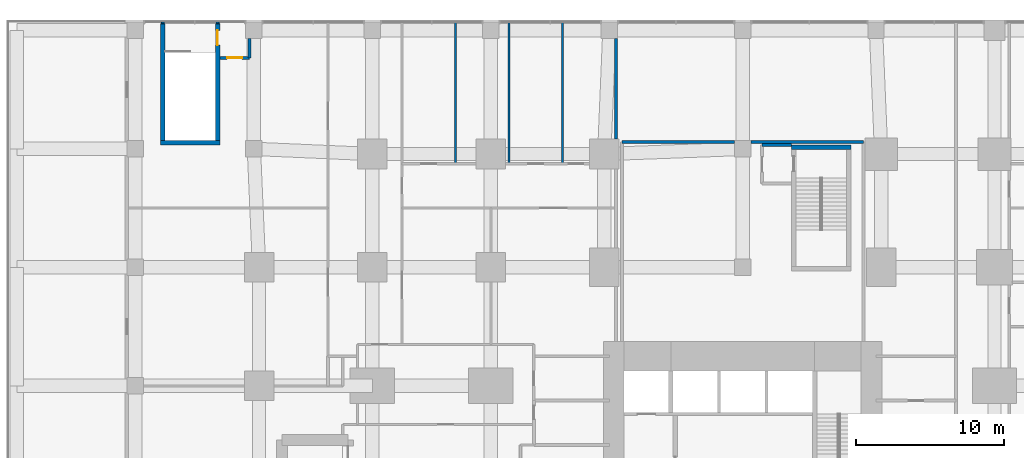
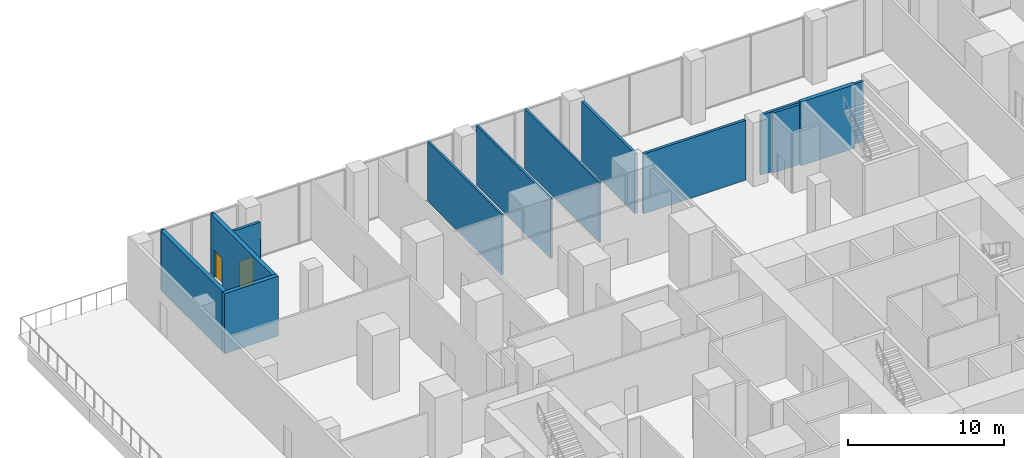
# One storey, part 13 of 19: 15 walls, 2 doors, 2 openings.
"""IFC4 building model written with IfcOpenShell, lengths in metres."""

import ifcopenshell
import ifcopenshell.guid

model = None  # the IFC model being written
_history = None  # IfcOwnerHistory: only IFC2X3 demands one
_inside = {}  # id of a spatial element -> (the spatial element, [elements in it])
_under = {}  # id of a project, library or spatial element -> (it, [spatial elements below it])
_declared = {}  # id of a project -> (the project, [libraries it declares])
_typed = {}  # id of a type object -> (the type object, [elements of that type])
_made_of = {}  # id of a material, layer set ... -> (it, [elements and type objects made of it])


def new_model(schema):
    """Start an empty IFC model of exactly this schema.

    Asked for "IFC4X3", IfcOpenShell would pick the latest addendum, in which some entities
    have other attributes; the version numbers below select the first issue.
    IFC2X3 requires an IfcOwnerHistory on every rooted entity: one is made here for all.
    """
    global model, _history
    if schema == "IFC4X3":
        model = ifcopenshell.file(schema_version=(4, 3, 0, 0))
    else:
        model = ifcopenshell.file(schema=schema)
    _inside.clear()
    _under.clear()
    _declared.clear()
    _typed.clear()
    _made_of.clear()
    _history = None
    if model.schema == "IFC2X3":
        org = make("IfcOrganization", Name="unknown")
        user = make(
            "IfcPersonAndOrganization",
            ThePerson=make("IfcPerson", FamilyName="unknown"),
            TheOrganization=org,
        )
        app = make(
            "IfcApplication",
            ApplicationDeveloper=org,
            Version="unknown",
            ApplicationFullName="unknown",
            ApplicationIdentifier="unknown",
        )
        _history = make(
            "IfcOwnerHistory",
            OwningUser=user,
            OwningApplication=app,
            ChangeAction="ADDED",
            CreationDate=0,
        )
    return model


def make(cls, **values):
    """One entity of the class cls with the attributes given. An attribute that is None is left unset."""
    return model.create_entity(
        cls, **{name: value for name, value in values.items() if value is not None}
    )


def rooted(cls, **values):
    """An entity with a GlobalId (a new one), such as an element, a storey or a relation."""
    return make(cls, GlobalId=ifcopenshell.guid.new(), OwnerHistory=_history, **values)


def si_unit(unit_type, name, prefix=None):
    """IfcSIUnit, for example si_unit("LENGTHUNIT", "METRE", prefix="MILLI")."""
    return make("IfcSIUnit", UnitType=unit_type, Prefix=prefix, Name=name)


def assignment(units):
    """IfcUnitAssignment: the units of a project."""
    return None if units is None else make("IfcUnitAssignment", Units=units)


def point(xyz):
    """IfcCartesianPoint."""
    return None if xyz is None else make("IfcCartesianPoint", Coordinates=xyz)


def direction(xyz):
    """IfcDirection."""
    return None if xyz is None else make("IfcDirection", DirectionRatios=xyz)


def frame(location, z_axis=None, x_axis=None):
    """IfcAxis2Placement3D, a coordinate frame: its origin and axes. An axis left out is left unset."""
    return make(
        "IfcAxis2Placement3D",
        Location=point(location),
        Axis=direction(z_axis),
        RefDirection=direction(x_axis),
    )


def frame_2d(location, x_axis=None):
    """IfcAxis2Placement2D, a coordinate frame in the plane: its origin and x axis."""
    return make(
        "IfcAxis2Placement2D", Location=point(location), RefDirection=direction(x_axis)
    )


def origin():
    """The frame at (0, 0, 0) with its axes left unset."""
    return frame((0.0, 0.0, 0.0))


def place(relative_to, where):
    """IfcLocalPlacement: puts the frame where relative to a parent placement (None: the world)."""
    return make(
        "IfcLocalPlacement", PlacementRelTo=relative_to, RelativePlacement=where
    )


def context(
    kind, dimensions, precision=None, world=None, true_north=None, identifier=None
):
    """IfcGeometricRepresentationContext, for example the 3D "Model" context."""
    return make(
        "IfcGeometricRepresentationContext",
        ContextIdentifier=identifier,
        ContextType=kind,
        CoordinateSpaceDimension=dimensions,
        Precision=precision,
        WorldCoordinateSystem=world,
        TrueNorth=true_north,
    )


def subcontext(parent, identifier, kind, view, scale=None):
    """IfcGeometricRepresentationSubContext, for example "Body" below "Model"."""
    return make(
        "IfcGeometricRepresentationSubContext",
        ContextIdentifier=identifier,
        ContextType=kind,
        ParentContext=parent,
        TargetScale=scale,
        TargetView=view,
    )


def project(units=None, contexts=None):
    """IfcProject with its units and contexts."""
    return rooted(
        "IfcProject",
        Name="project",
        RepresentationContexts=contexts,
        UnitsInContext=assignment(units),
    )


def spatial(cls, under=None, at=None, **own):
    """A site, building, storey or space (cls), placed at a placement, below another one or the project."""
    s = rooted(cls, ObjectPlacement=at, **own)
    if under is not None:
        _under.setdefault(under.id(), (under, []))[1].append(s)
    return s


def profile(cls, at=None, kind="AREA", **sizes):
    """A parametric profile (cls). Its sizes go by their IFC names, for example OverallWidth=200.0."""
    return make(cls, ProfileType=kind, Position=at, **sizes)


def rectangle(**sizes):
    """IfcRectangleProfileDef."""
    return profile("IfcRectangleProfileDef", **sizes)


def extrude(swept, where, along, depth):
    """IfcExtrudedAreaSolid: the profile swept, set in the frame where, extruded along a direction by depth."""
    return make(
        "IfcExtrudedAreaSolid",
        SweptArea=swept,
        Position=where,
        ExtrudedDirection=direction(along),
        Depth=depth,
    )


def shape(context_of_items, identifier, shape_type, items):
    """IfcShapeRepresentation: the items that make up one representation, for example the "Body"."""
    return make(
        "IfcShapeRepresentation",
        ContextOfItems=context_of_items,
        RepresentationIdentifier=identifier,
        RepresentationType=shape_type,
        Items=items,
    )


def material(Name=None, Category=None):
    """IfcMaterial."""
    return make("IfcMaterial", Name=Name, Category=Category)


def layer(
    of_material, thickness, ventilated=None, Name=None, Category=None, Priority=None
):
    """IfcMaterialLayer: one layer of a wall or slab, of a material (None: an air gap)."""
    return make(
        "IfcMaterialLayer",
        Material=of_material,
        LayerThickness=thickness,
        IsVentilated=ventilated,
        Name=Name,
        Category=Category,
        Priority=Priority,
    )


def layer_set(layers, Name=None):
    """IfcMaterialLayerSet."""
    return make("IfcMaterialLayerSet", MaterialLayers=layers, LayerSetName=Name)


def made_of(thing, what):
    """Note that an element or type object is made of a material, layer set ...; save() writes the relation."""
    if what is not None:
        _made_of.setdefault(what.id(), (what, []))[1].append(thing)
    return thing


def type_object(cls, material=None, **own):
    """A type object (cls), such as IfcWallType, which elements share."""
    return made_of(rooted(cls, **own), material)


def element(
    cls,
    number,
    at=None,
    inside=None,
    cuts=None,
    type_object=None,
    material=None,
    context=None,
    identifier="Body",
    shape_type=None,
    held_by="IfcProductDefinitionShape",
    body=None,
    shapes=None,
    **own,
):
    """One element of the class cls, such as IfcWall. Its Tag is "e" and its number.

    at: its placement. inside: the storey or other place that contains it. cuts: it is an
    opening in that element (IfcRelVoidsElement). A single representation is given by context,
    identifier, shape_type and body (its items); several are given by shapes. held_by: the class
    of the entity that holds the representations. save() writes the other relations.
    """
    e = rooted(cls, Tag="e%d" % number, ObjectPlacement=at, **own)
    if body is not None:
        shapes = [shape(context, identifier, shape_type, body)]
    if shapes is not None:
        e.Representation = make(held_by, Representations=shapes)
    if inside is not None:
        _inside.setdefault(inside.id(), (inside, []))[1].append(e)
    if cuts is not None:
        rooted(
            "IfcRelVoidsElement", RelatingBuildingElement=cuts, RelatedOpeningElement=e
        )
    if type_object is not None:
        _typed.setdefault(type_object.id(), (type_object, []))[1].append(e)
    return made_of(e, material)


def fill(opening, filler):
    """IfcRelFillsElement: the door or window that sits in an opening."""
    return rooted(
        "IfcRelFillsElement",
        RelatingOpeningElement=opening,
        RelatedBuildingElement=filler,
    )


def aggregate(whole, parts):
    """IfcRelAggregates: a whole, such as a stair, and the parts it consists of."""
    return rooted("IfcRelAggregates", RelatingObject=whole, RelatedObjects=parts)


def save(model, path):
    """Write the relations noted so far, then the file.

    IfcRelAggregates (storeys below a building ...), IfcRelContainedInSpatialStructure (elements
    in a storey), IfcRelDefinesByType, IfcRelAssociatesMaterial and IfcRelDeclares: one each for
    every whole, place, type object, material and project.
    """
    for whole, parts in _under.values():
        aggregate(whole, parts)
    for where, things in _inside.values():
        rooted(
            "IfcRelContainedInSpatialStructure",
            RelatedElements=things,
            RelatingStructure=where,
        )
    for kind, things in _typed.values():
        rooted("IfcRelDefinesByType", RelatedObjects=things, RelatingType=kind)
    for what, things in _made_of.values():
        rooted("IfcRelAssociatesMaterial", RelatedObjects=things, RelatingMaterial=what)
    for by, libraries in _declared.values():
        rooted("IfcRelDeclares", RelatingContext=by, RelatedDefinitions=libraries)
    model.write(path)


model = new_model("IFC4")

# Units and contexts
model_context = context("Model", 3, precision=1e-05, world=origin(), true_north=direction((0.0, 1.0)))
body_context = subcontext(model_context, "Body", "Model", "MODEL_VIEW")
ifc_project = project(units=[si_unit("LENGTHUNIT", "METRE"), si_unit("AREAUNIT", "SQUARE_METRE"), si_unit("VOLUMEUNIT", "CUBIC_METRE"), si_unit("PLANEANGLEUNIT", "RADIAN"), si_unit("MASSUNIT", "GRAM", prefix="KILO")], contexts=[model_context])

# Site, building, storey
site_placement = place(None, origin())
site = spatial("IfcSite", under=ifc_project, at=site_placement, CompositionType="ELEMENT")
building_placement = place(site_placement, origin())
building = spatial("IfcBuilding", under=site, at=building_placement, Name="Cleftline Residences", CompositionType="ELEMENT")
storey_placement = place(building_placement, frame((0.0, 0.0, 11.0)))
storey = spatial("IfcBuildingStorey", under=building, at=storey_placement, Name="L02", CompositionType="ELEMENT", Elevation=11.0)

# Walls
ifc_material_1 = material(Name="Concrete blockwork, fire rated", Category="masonry")
ifc_layer_1 = layer(ifc_material_1, 0.199951171875)
ifc_layer_set_1 = layer_set([ifc_layer_1], Name="FIRE WALL 200")
wall_type_1 = type_object("IfcWallType", Name="FIRE WALL 200", PredefinedType="PARTITIONING", material=ifc_layer_set_1)
wall_1_placement = place(storey_placement, frame((34.300048828125, 48.25, 0.0), z_axis=(0.0, 0.0, 1.0), x_axis=(1.0, 0.0, 0.0)))
element("IfcWall", 1, at=wall_1_placement, inside=storey, type_object=wall_type_1, Name="Fire separating wall", PredefinedType="PARTITIONING", context=body_context, shape_type="SweptSolid", body=[
    extrude(rectangle(XDim=2.0, YDim=0.199951171875, at=frame_2d((1.0, 0.0))), origin(), (0.0, 0.0, 1.0), 4.699951171875),
])
for number, where, z_axis, x_axis, name in (
    (2, (24.85009765625, 48.449951171875, 0.0), (0.0, 0.0, 1.0), (1.0, 0.0, 0.0), "Fire separating wall"),
    (3, (33.550048828125, 48.449951171875, 0.0), (0.0, 0.0, 1.0), (1.0, 0.0, 0.0), "Fire separating wall"),
):
    element("IfcWall", number, at=place(storey_placement, frame(where, z_axis=z_axis, x_axis=x_axis)), inside=storey, type_object=wall_type_1, Name=name, PredefinedType="PARTITIONING", context=body_context, shape_type="SweptSolid", body=[
        extrude(rectangle(XDim=7.599853515625, YDim=0.199951171875, at=frame_2d((3.7998046875, 0.0))), origin(), (0.0, 0.0, 1.0), 4.699951171875),
    ])

# Wall, opening, door
wall_2_placement = place(storey_placement, frame((-2.300048828125, 54.14990234375, 0.0), z_axis=(0.0, 0.0, 1.0), x_axis=(1.0, 0.0, 0.0)))
wall_2 = element("IfcWall", 4, at=wall_2_placement, inside=storey, type_object=wall_type_1, Name="Fire separating wall", PredefinedType="PARTITIONING", context=body_context, shape_type="SweptSolid", body=[
    extrude(rectangle(XDim=2.0, YDim=0.199951171875, at=frame_2d((1.0, 0.0))), origin(), (0.0, 0.0, 1.0), 4.699951171875),
])
opening_1_placement = place(wall_2_placement, frame((0.5, 0.0, 0.0)))
opening_1 = element("IfcOpeningElement", 5, at=opening_1_placement, cuts=wall_2, Name="Opening D2F60", PredefinedType="OPENING", context=body_context, shape_type="SweptSolid", body=[
    extrude(rectangle(XDim=1.0, YDim=2.10009765625, at=frame_2d((0.5, 1.050048828125))), frame((0.0, 0.10986328125, 0.0), z_axis=(0.0, -1.0, 0.0), x_axis=(1.0, 0.0, 0.0)), (0.0, 0.0, 1.0), 0.219970703125),
])
ifc_material_2 = material(Name="Timber veneer on solid core", Category="wood")
door_type_1 = type_object("IfcDoorType", Name="DOOR 1000X2100 EI 60", OperationType="SINGLE_SWING_LEFT", PredefinedType="DOOR", material=ifc_material_2)
door_1_placement = place(opening_1_placement, origin())
door_1 = element("IfcDoor", 6, at=door_1_placement, inside=storey, type_object=door_type_1, Name="Door to stair ps-w lobby", OperationType="SINGLE_SWING_LEFT", OverallHeight=2.10009765625, OverallWidth=1.0, PredefinedType="DOOR", context=body_context, shape_type="SweptSolid", body=[
    extrude(rectangle(XDim=1.0, YDim=2.10009765625, at=frame_2d((0.5, 1.050048828125))), frame((0.0, 0.02490234375, 0.0), z_axis=(0.0, -1.0, 0.0), x_axis=(1.0, 0.0, 0.0)), (0.0, 0.0, 1.0), 0.050048828125),
])
fill(opening_1, door_1)

# Walls
wall_3_placement = place(storey_placement, frame((-0.300048828125, 54.14990234375, 0.0), z_axis=(0.0, 0.0, 1.0), x_axis=(0.0, 1.0, 0.0)))
element("IfcWall", 7, at=wall_3_placement, inside=storey, type_object=wall_type_1, Name="Fire separating wall", PredefinedType="PARTITIONING", context=body_context, shape_type="SweptSolid", body=[
    extrude(rectangle(XDim=1.300048828125, YDim=0.199951171875, at=frame_2d((0.64990234375, 0.0))), origin(), (0.0, 0.0, 1.0), 3.300048828125),
])
wall_4_placement = place(storey_placement, frame((24.449951171875, 48.64990234375, 0.0), z_axis=(0.0, 0.0, 1.0), x_axis=(0.0, 1.0, 0.0)))
element("IfcWall", 8, at=wall_4_placement, inside=storey, type_object=wall_type_1, Name="Fire separating wall", PredefinedType="PARTITIONING", context=body_context, shape_type="SweptSolid", body=[
    extrude(rectangle(XDim=6.800048828125, YDim=0.199951171875, at=frame_2d((3.39990234375, 0.0))), origin(), (0.0, 0.0, 1.0), 4.699951171875),
])
for number, where, z_axis, x_axis, name in (
    (9, (-6.14990234375, 56.449951171875, 0.0), (0.0, 0.0, 1.0), (0.0, 1.0, 0.0), "Fire separating wall"),
    (10, (-2.449951171875, 56.449951171875, 0.0), (0.0, 0.0, 1.0), (0.0, 1.0, 0.0), "Fire separating wall"),
):
    element("IfcWall", number, at=place(storey_placement, frame(where, z_axis=z_axis, x_axis=x_axis)), inside=storey, type_object=wall_type_1, Name=name, PredefinedType="PARTITIONING", context=body_context, shape_type="SweptSolid", body=[
        extrude(rectangle(XDim=0.111083984375, YDim=0.199951171875, at=frame_2d((0.0556640625, 0.0))), origin(), (0.0, 0.0, 1.0), 4.699951171875),
    ])
ifc_material_3 = material(Name="Gypsum board on steel studs", Category="steel")
ifc_layer_2 = layer(ifc_material_3, 0.14990234375)
ifc_layer_set_2 = layer_set([ifc_layer_2], Name="PARTITION 150")
wall_type_2 = type_object("IfcWallType", Name="PARTITION 150", PredefinedType="PARTITIONING", material=ifc_layer_set_2)
for number, where, z_axis, x_axis, name in (
    (11, (13.613037109375, 47.0, 0.0), (0.0, 0.0, 1.0), (0.0, 1.0, 0.0), "Partition"),
    (12, (17.22509765625, 47.0, 0.0), (0.0, 0.0, 1.0), (0.0, 1.0, 0.0), "Partition"),
    (13, (20.8369140625, 47.0, 0.0), (0.0, 0.0, 1.0), (0.0, 1.0, 0.0), "Partition"),
):
    element("IfcWall", number, at=place(storey_placement, frame(where, z_axis=z_axis, x_axis=x_axis)), inside=storey, type_object=wall_type_2, Name=name, PredefinedType="PARTITIONING", context=body_context, shape_type="SweptSolid", body=[
        extrude(rectangle(XDim=9.56103515625, YDim=0.14990234375, at=frame_2d((4.780517578125, 0.0))), origin(), (0.0, 0.0, 1.0), 4.699951171875),
    ])
ifc_material_4 = material(Name="Concrete blockwork, fire rated", Category="masonry")
ifc_layer_3 = layer(ifc_material_4, 0.300048828125)
ifc_layer_set_3 = layer_set([ifc_layer_3], Name="STAIR ENCLOSURE WALL 300")
wall_type_3 = type_object("IfcWallType", Name="STAIR ENCLOSURE WALL 300", PredefinedType="PARTITIONING", material=ifc_layer_set_3)
wall_5_placement = place(storey_placement, frame((36.300048828125, 48.10009765625, 0.0), z_axis=(0.0, 0.0, 1.0), x_axis=(1.0, 0.0, 0.0)))
element("IfcWall", 14, at=wall_5_placement, inside=storey, type_object=wall_type_3, Name="Stair D enclosure", PredefinedType="PARTITIONING", context=body_context, shape_type="SweptSolid", body=[
    extrude(rectangle(XDim=4.0, YDim=0.300048828125, at=frame_2d((2.0, 0.0))), origin(), (0.0, 0.0, 1.0), 5.0),
])
wall_6_placement = place(storey_placement, frame((-6.300048828125, 48.39990234375, 0.0), z_axis=(0.0, 0.0, 1.0), x_axis=(1.0, 0.0, 0.0)))
element("IfcWall", 15, at=wall_6_placement, inside=storey, type_object=wall_type_3, Name="Stair PS-W enclosure", PredefinedType="PARTITIONING", context=body_context, shape_type="SweptSolid", body=[
    extrude(rectangle(XDim=4.0, YDim=0.300048828125, at=frame_2d((2.0, 0.0))), origin(), (0.0, 0.0, 1.0), 4.699951171875),
])
wall_7_placement = place(storey_placement, frame((-6.14990234375, 48.550048828125, 0.0), z_axis=(0.0, 0.0, 1.0), x_axis=(0.0, 1.0, 0.0)))
element("IfcWall", 16, at=wall_7_placement, inside=storey, type_object=wall_type_3, Name="Stair PS-W enclosure", PredefinedType="PARTITIONING", context=body_context, shape_type="SweptSolid", body=[
    extrude(rectangle(XDim=7.89990234375, YDim=0.300048828125, at=frame_2d((3.949951171875, 0.0))), origin(), (0.0, 0.0, 1.0), 4.699951171875),
])

# Wall, opening, door
wall_8_placement = place(storey_placement, frame((-2.449951171875, 48.550048828125, 0.0), z_axis=(0.0, 0.0, 1.0), x_axis=(0.0, 1.0, 0.0)))
wall_8 = element("IfcWall", 17, at=wall_8_placement, inside=storey, type_object=wall_type_3, Name="Stair PS-W enclosure", PredefinedType="PARTITIONING", context=body_context, shape_type="SweptSolid", body=[
    extrude(rectangle(XDim=7.89990234375, YDim=0.300048828125, at=frame_2d((3.949951171875, 0.0))), origin(), (0.0, 0.0, 1.0), 4.699951171875),
])
opening_2_placement = place(wall_8_placement, frame((6.449951171875, 0.0, 0.0)))
opening_2 = element("IfcOpeningElement", 18, at=opening_2_placement, cuts=wall_8, Name="Opening D5", PredefinedType="OPENING", context=body_context, shape_type="SweptSolid", body=[
    extrude(rectangle(XDim=1.0, YDim=2.10009765625, at=frame_2d((0.5, 1.050048828125))), frame((0.0, 0.159912109375, 0.0), z_axis=(0.0, -1.0, 0.0), x_axis=(1.0, 0.0, 0.0)), (0.0, 0.0, 1.0), 0.320068359375),
])
ifc_material_5 = material(Name="Steel", Category="steel")
door_type_2 = type_object("IfcDoorType", Name="STAIR DOOR 1000X2100", OperationType="SINGLE_SWING_LEFT", PredefinedType="DOOR", material=ifc_material_5)
door_2_placement = place(opening_2_placement, origin())
door_2 = element("IfcDoor", 19, at=door_2_placement, inside=storey, type_object=door_type_2, Name="Stair PS-W door", OperationType="SINGLE_SWING_LEFT", OverallHeight=2.10009765625, OverallWidth=1.0, PredefinedType="DOOR", context=body_context, shape_type="SweptSolid", body=[
    extrude(rectangle(XDim=1.0, YDim=2.10009765625, at=frame_2d((0.5, 1.050048828125))), frame((0.0, 0.02490234375, 0.0), z_axis=(0.0, -1.0, 0.0), x_axis=(1.0, 0.0, 0.0)), (0.0, 0.0, 1.0), 0.050048828125),
])
fill(opening_2, door_2)

save(model, "model.ifc")
